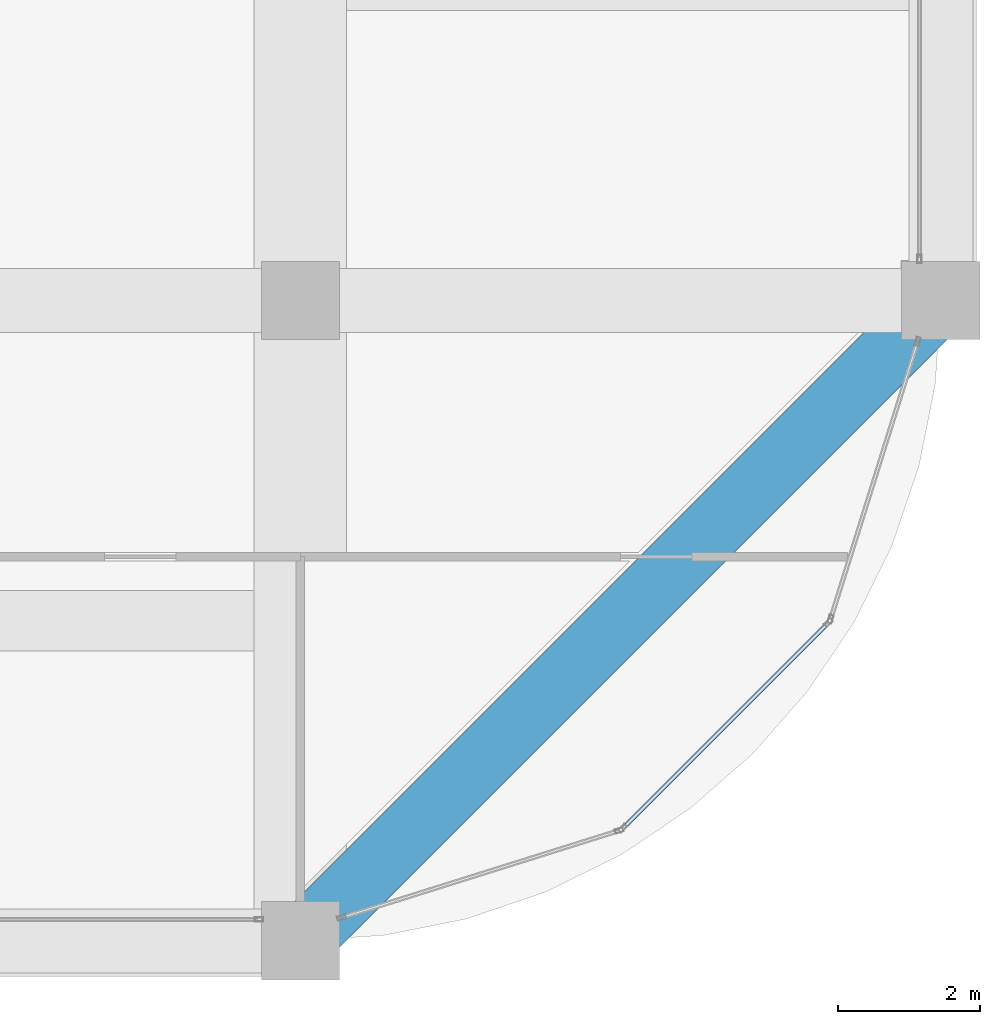
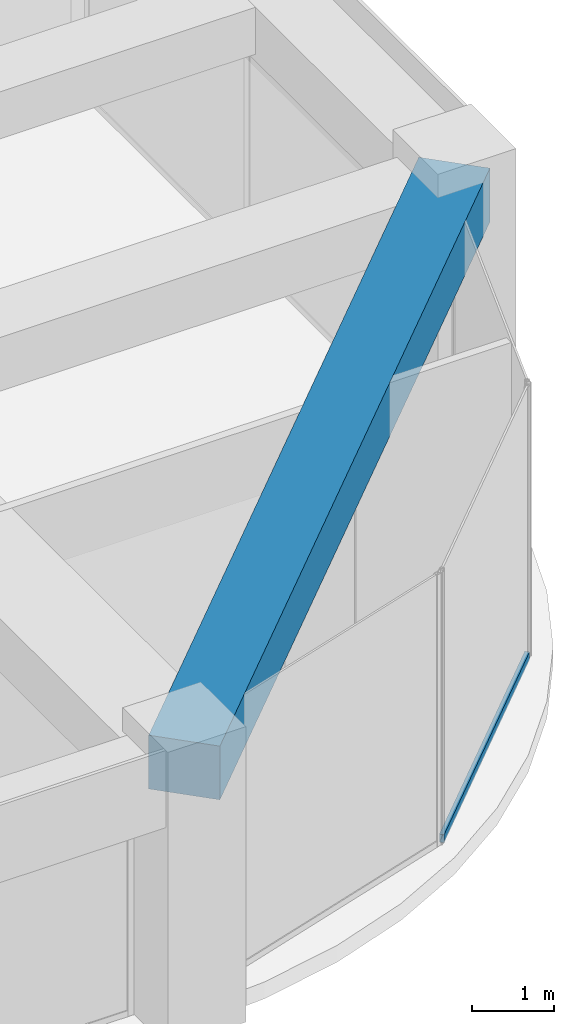
# One storey, part 19 of 44: 1 beam, 1 member, 1 element without a shape of its own.
"""IFC4 building model written with IfcOpenShell, lengths in metres."""

from ifc_helpers import new_model, si_unit, direction, frame, origin, origin_2d, place, context, subcontext, project, spatial, rectangle, hollow_rectangle, extrude, material, material_profile, profile_set, type_object, element, aggregate, save


model = new_model("IFC4")

# Units and contexts
model_context = context("Model", 3, precision=1e-05, world=origin(), true_north=direction((0.0, 1.0)))
body_context = subcontext(model_context, "Body", "Model", "MODEL_VIEW")
ifc_project = project(units=[si_unit("LENGTHUNIT", "METRE"), si_unit("AREAUNIT", "SQUARE_METRE"), si_unit("VOLUMEUNIT", "CUBIC_METRE"), si_unit("PLANEANGLEUNIT", "RADIAN"), si_unit("MASSUNIT", "GRAM", prefix="KILO")], contexts=[model_context])

# Site, building, storey
site_placement = place(None, origin())
site = spatial("IfcSite", under=ifc_project, at=site_placement, CompositionType="ELEMENT")
building_placement = place(site_placement, origin())
building = spatial("IfcBuilding", under=site, at=building_placement, Name="Zorevar Civic Tower", CompositionType="ELEMENT")
storey_placement = place(building_placement, frame((0.0, 0.0, 307.39990234375)))
storey = spatial("IfcBuildingStorey", under=building, at=storey_placement, Name="L75", CompositionType="ELEMENT", Elevation=307.39990234375)

# Curtain wall, member
ifc_material_1 = material(Name="Dark grey solar-control glass in black aluminium frame", Category="aluminium")
curtain_wall_type = type_object("IfcCurtainWallType", Name="Curtain wall CW5 top zone", PredefinedType="NOTDEFINED", material=ifc_material_1)
curtain_wall_placement = place(storey_placement, origin())
curtain_wall = element("IfcCurtainWall", 1, at=curtain_wall_placement, inside=storey, type_object=curtain_wall_type, Name="CW5 L75", PredefinedType="NOTDEFINED")
ifc_material_2 = material(Name="Aluminium, black anodised", Category="aluminium")
ifc_material_profile_1 = material_profile(ifc_material_2, hollow_rectangle(XDim=0.06005859375, YDim=0.1201171875, WallThickness=0.0029296875, at=origin_2d()), Name="AL 120x60x3")
ifc_profile_set_1 = profile_set([ifc_material_profile_1], Name="Aluminium, black anodised")
member_type = type_object("IfcMemberType", Name="CW5 transom AL 120x60x3", PredefinedType="USERDEFINED", material=ifc_profile_set_1)
member_placement = place(storey_placement, frame((49.55029296875, 1.6015625, 0.030029296875), z_axis=(0.707106781187, 0.707106781187, 0.0), x_axis=(-0.707106781187, 0.707106781187, 0.0)))
member = element("IfcMember", 2, at=member_placement, type_object=member_type, Name="CW5 sill transom", ObjectType="TRANSOM", PredefinedType="USERDEFINED", context=body_context, shape_type="SweptSolid", body=[
    extrude(hollow_rectangle(XDim=0.06005859375, YDim=0.1201171875, WallThickness=0.0029296875, at=origin_2d()), origin(), (0.0, 0.0, 1.0), 4.02783203125),
])
aggregate(curtain_wall, [member])

# Beam
ifc_material_3 = material(Name="Concrete C50/60", Category="concrete")
ifc_material_profile_2 = material_profile(ifc_material_3, rectangle(XDim=0.89990234375, YDim=0.800048828125, at=origin_2d()), Name="RC 900x800")
ifc_profile_set_2 = profile_set([ifc_material_profile_2], Name="Concrete C50/60")
beam_type = type_object("IfcBeamType", Name="Edge beam RC 900x800", PredefinedType="SPANDREL", material=ifc_profile_set_2)
beam_placement = place(storey_placement, frame((45.0, 0.0, 3.650146484375), z_axis=(0.707106781187, 0.707106781187, 0.0), x_axis=(-0.707106781187, 0.707106781187, 0.0)))
element("IfcBeam", 3, at=beam_placement, inside=storey, type_object=beam_type, Name="Corner edge beam RF", PredefinedType="SPANDREL", context=body_context, shape_type="SweptSolid", body=[
    extrude(rectangle(XDim=0.89990234375, YDim=0.800048828125, at=origin_2d()), origin(), (0.0, 0.0, 1.0), 12.72802734375),
])

save(model, "model.ifc")
